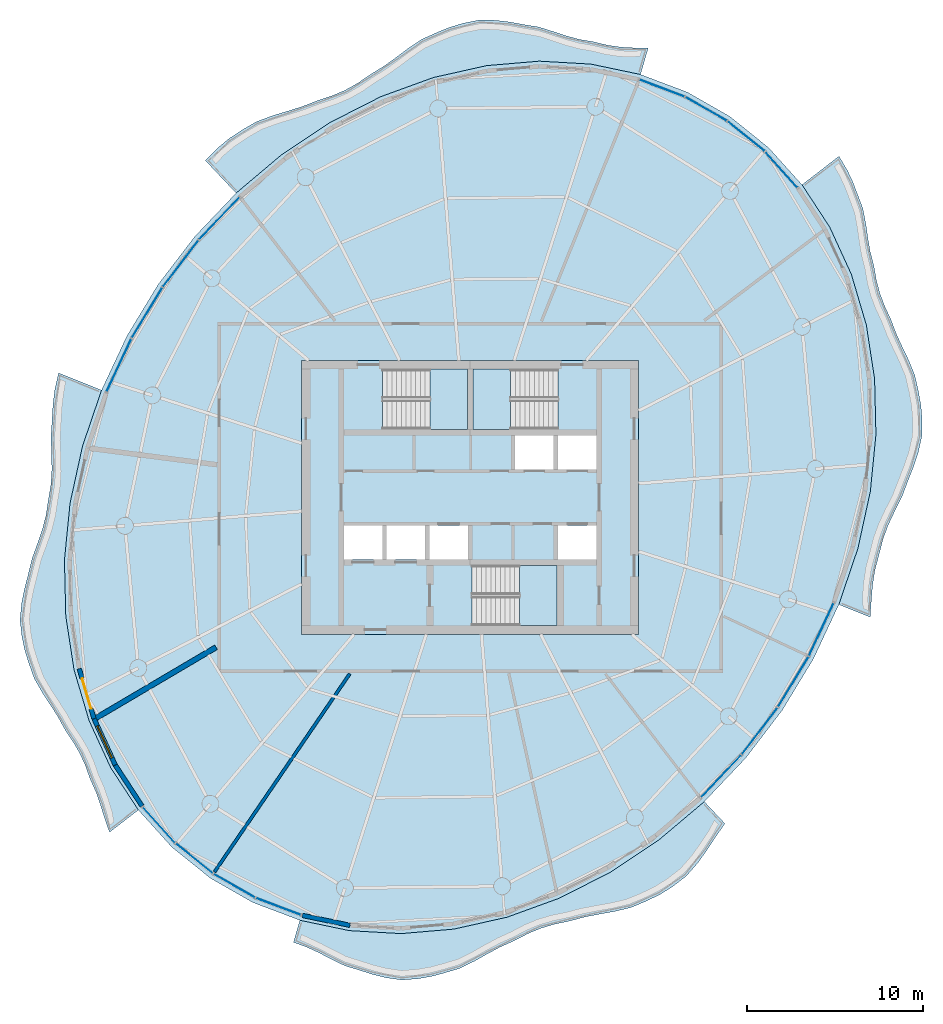
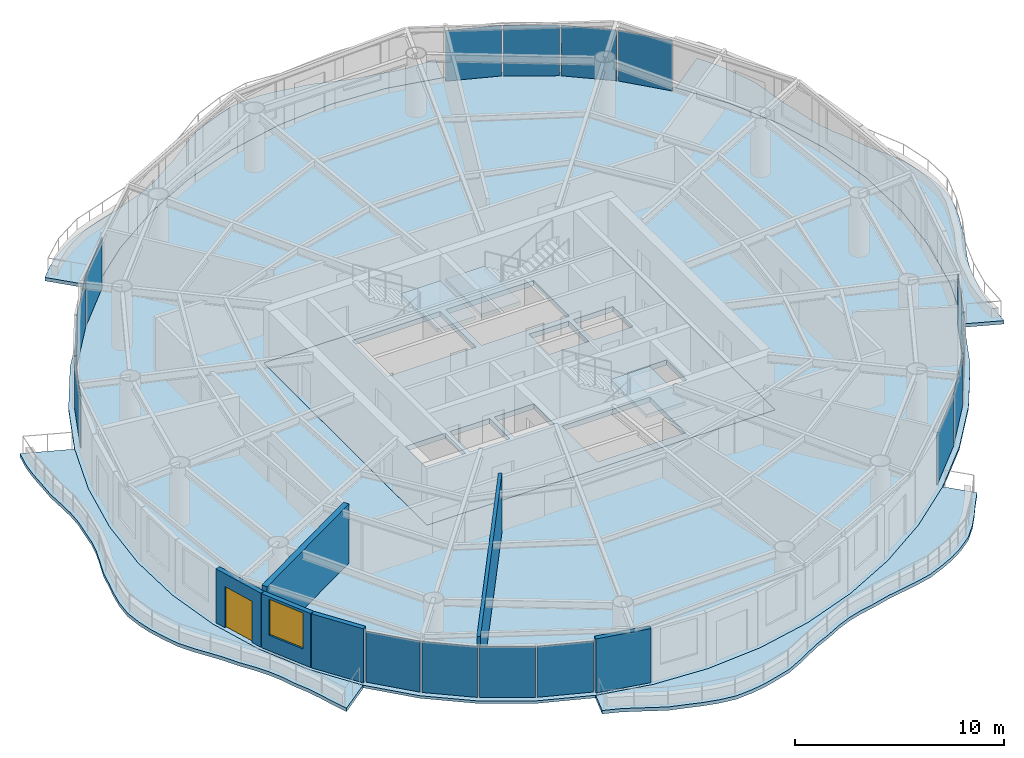
# One storey, part 7 of 14: 16 plates, 9 slabs, 6 walls, 1 door, 1 window, 2 openings, 19 elements without a shape of their own.
"""IFC4 building model written with IfcOpenShell, lengths in metres."""

from ifc_helpers import new_model, si_unit, direction, frame, frame_2d, origin, origin_2d, place, context, subcontext, project, spatial, polyline, rectangle, outline, extrude, material, layer, layer_set, type_object, element, fill, aggregate, save


model = new_model("IFC4")

# Units and contexts
model_context = context("Model", 3, precision=1e-05, world=origin(), true_north=direction((0.0, 1.0)))
body_context = subcontext(model_context, "Body", "Model", "MODEL_VIEW")
ifc_project = project(units=[si_unit("LENGTHUNIT", "METRE"), si_unit("AREAUNIT", "SQUARE_METRE"), si_unit("VOLUMEUNIT", "CUBIC_METRE"), si_unit("PLANEANGLEUNIT", "RADIAN"), si_unit("MASSUNIT", "GRAM", prefix="KILO")], contexts=[model_context])

# Site, building, storey
site_placement = place(None, origin())
site = spatial("IfcSite", under=ifc_project, at=site_placement, CompositionType="ELEMENT")
building_placement = place(site_placement, origin())
building = spatial("IfcBuilding", under=site, at=building_placement, Name="Vermilion Reach Broadcast Tower", CompositionType="ELEMENT")
storey_placement = place(building_placement, frame((0.0, 0.0, 257.699951171875)))
storey = spatial("IfcBuildingStorey", under=building, at=storey_placement, Name="L63", CompositionType="ELEMENT", Elevation=257.699951171875)

# Slabs
ifc_material_1 = material(Name="Concrete C40/50", Category="concrete")
ifc_layer_1 = layer(ifc_material_1, 0.199951171875)
ifc_layer_set_1 = layer_set([ifc_layer_1], Name="Balcony slab 200")
slab_type_1 = type_object("IfcSlabType", Name="Balcony slab 200", PredefinedType="FLOOR", material=ifc_layer_set_1)
placement_1 = place(storey_placement, frame((0.0, 0.0, -0.199951171875)))
element("IfcSlab", 1, at=placement_1, inside=storey, type_object=slab_type_1, Name="Balcony slab L63 group 1", PredefinedType="FLOOR", context=body_context, shape_type="SweptSolid", body=[
    extrude(outline(polyline([(3.70068359375, 24.08740234375), (0.876953125, 24.67822265625), (-2.064208984375, 24.846923828125), (-5.072998046875, 24.59033203125), (-8.097412109375, 23.9130859375), (-11.086181640625, 22.826416015625), (-13.98779296875, 21.349365234375), (-16.752685546875, 19.507080078125), (-19.333740234375, 17.3310546875), (-21.08642578125, 19.1923828125), (-20.390380859375, 19.893798828125), (-19.741943359375, 20.43408203125), (-19.034423828125, 20.904052734375), (-18.173828125, 21.399658203125), (-17.245849609375, 21.7451171875), (-16.4150390625, 21.99658203125), (-15.58935546875, 22.255126953125), (-14.715576171875, 22.593505859375), (-13.85400390625, 22.88134765625), (-13.104248046875, 23.20263671875), (-12.39404296875, 23.6015625), (-11.645263671875, 24.113525390625), (-10.879150390625, 24.583740234375), (-10.20849609375, 25.066162109375), (-9.543701171875, 25.564697265625), (-8.73779296875, 26.102294921875), (-7.879638671875, 26.486083984375), (-7.151611328125, 26.781005859375), (-6.40771484375, 27.005126953125), (-5.47314453125, 27.19091796875), (-4.53564453125, 27.174560546875), (-3.77001953125, 27.0810546875), (-3.00048828125, 26.9423828125), (-2.09130859375, 26.792236328125), (-1.23046875, 26.521728515625), (-0.50634765625, 26.282958984375), (0.22021484375, 26.087646484375), (1.045166015625, 25.9462890625), (1.839111328125, 25.754638671875), (2.553955078125, 25.649658203125), (3.281982421875, 25.607666015625), (4.1396484375, 25.593505859375), (3.70068359375, 24.08740234375)])), origin(), (0.0, 0.0, 1.0), 0.199951171875),
])
element("IfcSlab", 2, at=placement_1, inside=storey, type_object=slab_type_1, Name="Balcony slab L63 group 2", PredefinedType="FLOOR", context=body_context, shape_type="SweptSolid", body=[
    extrude(outline(polyline([(-26.9970703125, 6.105224609375), (-28.083740234375, 2.908935546875), (-28.792236328125, -0.3369140625), (-29.111083984375, -3.577392578125), (-29.034423828125, -6.75634765625), (-28.5634765625, -9.81982421875), (-27.70654296875, -12.71533203125), (-26.478271484375, -15.39306640625), (-24.899658203125, -17.8076171875), (-26.545166015625, -19.0751953125), (-26.843994140625, -18.21728515625), (-27.063232421875, -17.498779296875), (-27.3076171875, -16.797119140625), (-27.646484375, -16.038330078125), (-27.93017578125, -15.248779296875), (-28.236572265625, -14.578857421875), (-28.607177734375, -13.938720703125), (-29.0791015625, -13.230224609375), (-29.50390625, -12.4599609375), (-29.9296875, -11.798583984375), (-30.36376953125, -11.139892578125), (-30.82666015625, -10.326171875), (-31.14404296875, -9.432373046875), (-31.376708984375, -8.684326171875), (-31.535888671875, -7.9248046875), (-31.64208984375, -6.9873046875), (-31.54931640625, -6.021728515625), (-31.38720703125, -5.22265625), (-31.181640625, -4.42236328125), (-30.962158203125, -3.5087890625), (-30.637939453125, -2.609130859375), (-30.366455078125, -1.81787109375), (-30.16064453125, -1.020263671875), (-30.029296875, -0.141845703125), (-29.879638671875, 0.75048828125), (-29.828857421875, 1.589599609375), (-29.844970703125, 2.443359375), (-29.880126953125, 3.408935546875), (-29.817138671875, 4.3896484375), (-29.766357421875, 5.263916015625), (-29.664794921875, 6.120849609375), (-29.44287109375, 7.089599609375), (-26.9970703125, 6.105224609375)])), origin(), (0.0, 0.0, 1.0), 0.199951171875),
])
element("IfcSlab", 3, at=placement_1, inside=storey, type_object=slab_type_1, Name="Balcony slab L63 group 3", PredefinedType="FLOOR", context=body_context, shape_type="SweptSolid", body=[
    extrude(outline(polyline([(-15.70068359375, -24.08740234375), (-12.876953125, -24.67822265625), (-9.935791015625, -24.846923828125), (-6.927001953125, -24.59033203125), (-3.902587890625, -23.9130859375), (-0.913818359375, -22.826416015625), (1.98779296875, -21.349365234375), (4.752685546875, -19.507080078125), (7.333740234375, -17.3310546875), (8.508544921875, -18.57861328125), (7.954345703125, -19.37646484375), (7.470947265625, -20.112548828125), (6.964599609375, -20.8212890625), (6.305419921875, -21.57470703125), (5.529541015625, -22.1708984375), (4.82470703125, -22.611083984375), (4.0712890625, -22.978515625), (3.164306640625, -23.360595703125), (2.213623046875, -23.587890625), (1.376220703125, -23.73681640625), (0.54443359375, -23.89697265625), (-0.34619140625, -24.1337890625), (-1.2177734375, -24.317626953125), (-1.981201171875, -24.544677734375), (-2.7158203125, -24.850341796875), (-3.50830078125, -25.2607421875), (-4.314208984375, -25.620849609375), (-5.022705078125, -26.00244140625), (-5.7275390625, -26.4013671875), (-6.583251953125, -26.82470703125), (-7.4716796875, -27.08837890625), (-8.21240234375, -27.286376953125), (-8.958984375, -27.417236328125), (-9.89892578125, -27.489501953125), (-10.8173828125, -27.35791015625), (-11.544677734375, -27.175048828125), (-12.269287109375, -26.944580078125), (-13.141845703125, -26.677001953125), (-13.949951171875, -26.284423828125), (-14.6142578125, -25.937744140625), (-15.285888671875, -25.625732421875), (-16.06689453125, -25.343994140625), (-15.70068359375, -24.08740234375)])), origin(), (0.0, 0.0, 1.0), 0.199951171875),
])
element("IfcSlab", 4, at=placement_1, inside=storey, type_object=slab_type_1, Name="Balcony slab L63 group 4", PredefinedType="FLOOR", context=body_context, shape_type="SweptSolid", body=[
    extrude(outline(polyline([(14.9970703125, -6.105224609375), (16.083740234375, -2.908935546875), (16.792236328125, 0.3369140625), (17.111083984375, 3.577392578125), (17.034423828125, 6.75634765625), (16.5634765625, 9.81982421875), (15.70654296875, 12.71533203125), (14.478271484375, 15.39306640625), (12.899658203125, 17.8076171875), (15.005126953125, 19.4296875), (15.4814453125, 18.634033203125), (15.79052734375, 17.974609375), (16.0537109375, 17.284912109375), (16.371826171875, 16.43896484375), (16.54443359375, 15.530517578125), (16.6513671875, 14.769287109375), (16.780029296875, 14.01806640625), (16.989501953125, 13.196533203125), (17.141357421875, 12.3525390625), (17.33544921875, 11.622802734375), (17.6015625, 10.914306640625), (17.96142578125, 10.132568359375), (18.2763671875, 9.299072265625), (18.614013671875, 8.567138671875), (18.964599609375, 7.8369140625), (19.323974609375, 6.958984375), (19.533447265625, 6.021484375), (19.67626953125, 5.229736328125), (19.740966796875, 4.43603515625), (19.726318359375, 3.48046875), (19.511474609375, 2.523193359375), (19.24462890625, 1.731689453125), (18.93408203125, 0.9443359375), (18.597900390625, 0.052001953125), (18.167236328125, -0.8134765625), (17.805419921875, -1.58447265625), (17.51318359375, -2.37109375), (17.291015625, -3.244873046875), (17.054931640625, -4.130615234375), (16.922607421875, -4.97705078125), (16.8525390625, -5.8447265625), (16.783447265625, -6.82421875), (14.9970703125, -6.105224609375)])), origin(), (0.0, 0.0, 1.0), 0.199951171875),
])
ifc_material_2 = material(Name="Concrete C40", Category="concrete")
ifc_layer_2 = layer(ifc_material_2, 0.300048828125)
ifc_layer_set_2 = layer_set([ifc_layer_2], Name="Core floor slab 300 mm Concrete C40")
slab_type_2 = type_object("IfcSlabType", Name="Core floor slab 300 mm Concrete C40", PredefinedType="FLOOR", material=ifc_layer_set_2)
slab_5_placement = place(storey_placement, frame((0.0, 0.0, -0.300048828125)))
element("IfcSlab", 5, at=slab_5_placement, inside=storey, type_object=slab_type_2, Name="L63 core floor", PredefinedType="FLOOR", context=body_context, shape_type="SweptSolid", body=[
    extrude(outline(polyline([(-15.60009765625, -7.800048828125), (3.60009765625, -7.800048828125), (3.60009765625, 7.800048828125), (-15.60009765625, 7.800048828125), (-15.60009765625, -7.800048828125)]), holes=[polyline([(-3.433349609375, 1.60009765625), (-1.24169921875, 1.60009765625), (-1.24169921875, 3.530029296875), (-3.433349609375, 3.530029296875), (-3.433349609375, 1.60009765625)]), polyline([(-0.99169921875, 1.60009765625), (1.199951171875, 1.60009765625), (1.199951171875, 3.530029296875), (-0.99169921875, 3.530029296875), (-0.99169921875, 1.60009765625)]), polyline([(-13.199951171875, -3.530029296875), (-11.00830078125, -3.530029296875), (-11.00830078125, -1.60009765625), (-13.199951171875, -1.60009765625), (-13.199951171875, -3.530029296875)]), polyline([(-10.75830078125, -3.530029296875), (-8.566650390625, -3.530029296875), (-8.566650390625, -1.60009765625), (-10.75830078125, -1.60009765625), (-10.75830078125, -3.530029296875)]), polyline([(-8.316650390625, -3.530029296875), (-6.125, -3.530029296875), (-6.125, -1.60009765625), (-8.316650390625, -1.60009765625), (-8.316650390625, -3.530029296875)]), polyline([(-0.99169921875, -3.530029296875), (1.199951171875, -3.530029296875), (1.199951171875, -1.60009765625), (-0.99169921875, -1.60009765625), (-0.99169921875, -3.530029296875)]), polyline([(-10.999267578125, 3.8798828125), (-6.14990234375, 3.8798828125), (-6.14990234375, 7.300048828125), (-10.999267578125, 7.300048828125), (-10.999267578125, 3.8798828125)]), polyline([(-1.000732421875, 7.300048828125), (-5.85009765625, 7.300048828125), (-5.85009765625, 3.8798828125), (-1.000732421875, 3.8798828125), (-1.000732421875, 7.300048828125)]), polyline([(-5.8994140625, -7.300048828125), (-1.050048828125, -7.300048828125), (-1.050048828125, -3.8798828125), (-5.8994140625, -3.8798828125), (-5.8994140625, -7.300048828125)])]), origin(), (0.0, 0.0, 1.0), 0.300048828125),
])

# Stair, slab
ifc_material_3 = material(Name="Concrete C40", Category="concrete")
stair_type = type_object("IfcStairType", Name="Exit stair RC 22 risers 164 mm", PredefinedType="HALF_TURN_STAIR", material=ifc_material_3)
placement_2 = place(storey_placement, origin())
stair_1 = element("IfcStair", 6, at=placement_2, inside=storey, type_object=stair_type, Name="L63 Exit stair ST1", PredefinedType="HALF_TURN_STAIR")
ifc_material_4 = material(Name="Concrete C40", Category="concrete")
ifc_layer_3 = layer(ifc_material_4, 0.199951171875)
ifc_layer_set_3 = layer_set([ifc_layer_3], Name="Exit stair landing Concrete C40")
slab_type_3 = type_object("IfcSlabType", Name="Exit stair landing Concrete C40", PredefinedType="LANDING", material=ifc_layer_set_3)
placement_3 = place(storey_placement, frame((0.0, 0.0, 1.60009765625)))
slab_6 = element("IfcSlab", 7, at=placement_3, type_object=slab_type_3, Name="ST1 landing 1", PredefinedType="LANDING", context=body_context, shape_type="SweptSolid", body=[
    extrude(outline(polyline([(-8.300048828125, 3.8798828125), (-6.14990234375, 3.8798828125), (-6.14990234375, 7.300048828125), (-8.300048828125, 7.300048828125), (-8.300048828125, 3.8798828125)])), origin(), (0.0, 0.0, 1.0), 0.199951171875),
])
aggregate(stair_1, [slab_6])

stair_2 = element("IfcStair", 8, at=placement_2, inside=storey, type_object=stair_type, Name="L63 Exit stair ST2", PredefinedType="HALF_TURN_STAIR")
slab_7 = element("IfcSlab", 9, at=placement_3, type_object=slab_type_3, Name="ST2 landing 1", PredefinedType="LANDING", context=body_context, shape_type="SweptSolid", body=[
    extrude(outline(polyline([(-3.699951171875, 7.300048828125), (-5.85009765625, 7.300048828125), (-5.85009765625, 3.8798828125), (-3.699951171875, 3.8798828125), (-3.699951171875, 7.300048828125)])), origin(), (0.0, 0.0, 1.0), 0.199951171875),
])
aggregate(stair_2, [slab_7])

stair_3 = element("IfcStair", 10, at=placement_2, inside=storey, type_object=stair_type, Name="L63 Exit stair ST3", PredefinedType="HALF_TURN_STAIR")
slab_8 = element("IfcSlab", 11, at=placement_3, type_object=slab_type_3, Name="ST3 landing 1", PredefinedType="LANDING", context=body_context, shape_type="SweptSolid", body=[
    extrude(outline(polyline([(-3.199951171875, -7.300048828125), (-1.050048828125, -7.300048828125), (-1.050048828125, -3.8798828125), (-3.199951171875, -3.8798828125), (-3.199951171875, -7.300048828125)])), origin(), (0.0, 0.0, 1.0), 0.199951171875),
])
aggregate(stair_3, [slab_8])

# Slab
ifc_material_5 = material(Name="Concrete C40", Category="concrete")
ifc_layer_4 = layer(ifc_material_5, 0.14990234375)
ifc_layer_set_4 = layer_set([ifc_layer_4], Name="Floor slab Concrete C40 composite 150")
slab_type_4 = type_object("IfcSlabType", Name="Floor slab Concrete C40 composite 150", PredefinedType="FLOOR", material=ifc_layer_set_4)
slab_9_placement = place(storey_placement, frame((0.0, 0.0, -0.14990234375)))
element("IfcSlab", 12, at=slab_9_placement, inside=storey, type_object=slab_type_4, Name="Floor slab L63", PredefinedType="FLOOR", context=body_context, shape_type="SweptSolid", body=[
    extrude(outline(polyline([(8.8046875, 21.6865234375), (6.3583984375, 23.08447265625), (3.70068359375, 24.08740234375), (0.876953125, 24.67822265625), (-2.064208984375, 24.846923828125), (-5.072998046875, 24.59033203125), (-8.097412109375, 23.9130859375), (-11.086181640625, 22.826416015625), (-13.98779296875, 21.349365234375), (-16.752685546875, 19.507080078125), (-19.333740234375, 17.3310546875), (-21.6865234375, 14.8583984375), (-23.770751953125, 12.131591796875), (-25.55126953125, 9.197021484375), (-26.9970703125, 6.105224609375), (-28.083740234375, 2.908935546875), (-28.792236328125, -0.3369140625), (-29.111083984375, -3.577392578125), (-29.034423828125, -6.75634765625), (-28.5634765625, -9.81982421875), (-27.70654296875, -12.71533203125), (-26.478271484375, -15.39306640625), (-24.899658203125, -17.8076171875), (-22.99755859375, -19.91748046875), (-20.8046875, -21.6865234375), (-18.3583984375, -23.08447265625), (-15.70068359375, -24.08740234375), (-12.876953125, -24.67822265625), (-9.935791015625, -24.846923828125), (-6.927001953125, -24.59033203125), (-3.902587890625, -23.9130859375), (-0.913818359375, -22.826416015625), (1.98779296875, -21.349365234375), (4.752685546875, -19.507080078125), (7.333740234375, -17.3310546875), (9.6865234375, -14.8583984375), (11.770751953125, -12.131591796875), (13.55126953125, -9.197021484375), (14.9970703125, -6.105224609375), (16.083740234375, -2.908935546875), (16.792236328125, 0.3369140625), (17.111083984375, 3.577392578125), (17.034423828125, 6.75634765625), (16.5634765625, 9.81982421875), (15.70654296875, 12.71533203125), (14.478271484375, 15.39306640625), (12.899658203125, 17.8076171875), (10.99755859375, 19.91748046875), (8.8046875, 21.6865234375)]), holes=[polyline([(-15.60009765625, -7.800048828125), (3.60009765625, -7.800048828125), (3.60009765625, 7.800048828125), (-15.60009765625, 7.800048828125), (-15.60009765625, -7.800048828125)])]), origin(), (0.0, 0.0, 1.0), 0.14990234375),
])

# Curtain wall, plate
ifc_material_6 = material(Name="Low-e laminated clear glass in aluminium frame", Category="aluminium")
curtain_wall_type = type_object("IfcCurtainWallType", Name="Slot curtain wall", PredefinedType="NOTDEFINED", material=ifc_material_6)
curtain_wall_1 = element("IfcCurtainWall", 13, at=placement_2, inside=storey, type_object=curtain_wall_type, Name="Slot curtain wall L63 46", PredefinedType="NOTDEFINED")
ifc_material_7 = material(Name="Low-e laminated clear glass", Category="glass")
ifc_layer_5 = layer(ifc_material_7, 0.028076171875)
ifc_layer_set_5 = layer_set([ifc_layer_5], Name="Slot glass panel")
plate_type = type_object("IfcPlateType", Name="Slot glass panel", PredefinedType="CURTAIN_PANEL", material=ifc_layer_set_5)
plate_1_placement = place(storey_placement, frame((11.7265625, 18.662109375, 0.0), z_axis=(0.0, 0.0, 1.0), x_axis=(-0.669590181039, 0.74273076512, 0.0)))
plate_1 = element("IfcPlate", 14, at=plate_1_placement, type_object=plate_type, Name="Slot glass panel L63 46", PredefinedType="CURTAIN_PANEL", context=body_context, shape_type="SweptSolid", body=[
    extrude(rectangle(XDim=2.713623046875, YDim=0.028076171875, at=origin_2d()), origin(), (0.0, 0.0, 1.0), 2.949951171875),
])
aggregate(curtain_wall_1, [plate_1])

curtain_wall_2 = element("IfcCurtainWall", 15, at=placement_2, inside=storey, type_object=curtain_wall_type, Name="Slot curtain wall L63 47", PredefinedType="NOTDEFINED")
plate_2_placement = place(storey_placement, frame((9.71337890625, 20.569091796875, 0.0), z_axis=(0.0, 0.0, 1.0), x_axis=(-0.778317169634, 0.62787131122, 0.0)))
plate_2 = element("IfcPlate", 16, at=plate_2_placement, type_object=plate_type, Name="Slot glass panel L63 47", PredefinedType="CURTAIN_PANEL", context=body_context, shape_type="SweptSolid", body=[
    extrude(rectangle(XDim=2.689697265625, YDim=0.028076171875, at=origin_2d()), origin(), (0.0, 0.0, 1.0), 2.949951171875),
])
aggregate(curtain_wall_2, [plate_2])

curtain_wall_3 = element("IfcCurtainWall", 17, at=placement_2, inside=storey, type_object=curtain_wall_type, Name="Slot curtain wall L63 00", PredefinedType="NOTDEFINED")
plate_3_placement = place(storey_placement, frame((7.43310546875, 22.125732421875, 0.0), z_axis=(0.0, 0.0, 1.0), x_axis=(-0.868226833631, 0.496167477132, 0.0)))
plate_3 = element("IfcPlate", 18, at=plate_3_placement, type_object=plate_type, Name="Slot glass panel L63 00", PredefinedType="CURTAIN_PANEL", context=body_context, shape_type="SweptSolid", body=[
    extrude(rectangle(XDim=2.689697265625, YDim=0.028076171875, at=origin_2d()), origin(), (0.0, 0.0, 1.0), 2.949951171875),
])
aggregate(curtain_wall_3, [plate_3])

curtain_wall_4 = element("IfcCurtainWall", 19, at=placement_2, inside=storey, type_object=curtain_wall_type, Name="Slot curtain wall L63 01", PredefinedType="NOTDEFINED")
plate_4_placement = place(storey_placement, frame((4.923828125, 23.30615234375, 0.0), z_axis=(0.0, 0.0, 1.0), x_axis=(-0.935595552507, 0.353073593078, 0.0)))
plate_4 = element("IfcPlate", 20, at=plate_4_placement, type_object=plate_type, Name="Slot glass panel L63 01", PredefinedType="CURTAIN_PANEL", context=body_context, shape_type="SweptSolid", body=[
    extrude(rectangle(XDim=2.713623046875, YDim=0.028076171875, at=origin_2d()), origin(), (0.0, 0.0, 1.0), 2.949951171875),
])
aggregate(curtain_wall_4, [plate_4])

curtain_wall_5 = element("IfcCurtainWall", 21, at=placement_2, inside=storey, type_object=curtain_wall_type, Name="Slot curtain wall L63 10", PredefinedType="NOTDEFINED")
plate_5_placement = place(storey_placement, frame((-20.29296875, 15.88818359375, 0.0), z_axis=(0.0, 0.0, 1.0), x_axis=(-0.689335518303, -0.724442229033, 0.0)))
plate_5 = element("IfcPlate", 22, at=plate_5_placement, type_object=plate_type, Name="Slot glass panel L63 10", PredefinedType="CURTAIN_PANEL", context=body_context, shape_type="SweptSolid", body=[
    extrude(rectangle(XDim=3.300537109375, YDim=0.028076171875, at=origin_2d()), origin(), (0.0, 0.0, 1.0), 2.949951171875),
])
aggregate(curtain_wall_5, [plate_5])

curtain_wall_6 = element("IfcCurtainWall", 23, at=placement_2, inside=storey, type_object=curtain_wall_type, Name="Slot curtain wall L63 11", PredefinedType="NOTDEFINED")
plate_6_placement = place(storey_placement, frame((-22.49072265625, 13.31298828125, 0.0), z_axis=(0.0, 0.0, 1.0), x_axis=(-0.607297031586, -0.794474867713, 0.0)))
plate_6 = element("IfcPlate", 24, at=plate_6_placement, type_object=plate_type, Name="Slot glass panel L63 11", PredefinedType="CURTAIN_PANEL", context=body_context, shape_type="SweptSolid", body=[
    extrude(rectangle(XDim=3.320068359375, YDim=0.028076171875, at=origin_2d()), origin(), (0.0, 0.0, 1.0), 2.949951171875),
])
aggregate(curtain_wall_6, [plate_6])

curtain_wall_7 = element("IfcCurtainWall", 25, at=placement_2, inside=storey, type_object=curtain_wall_type, Name="Slot curtain wall L63 12", PredefinedType="NOTDEFINED")
plate_7_placement = place(storey_placement, frame((-24.405029296875, 10.509033203125, 0.0), z_axis=(0.0, 0.0, 1.0), x_axis=(-0.518708735939, -0.854951020387, 0.0)))
plate_7 = element("IfcPlate", 26, at=plate_7_placement, type_object=plate_type, Name="Slot glass panel L63 12", PredefinedType="CURTAIN_PANEL", context=body_context, shape_type="SweptSolid", body=[
    extrude(rectangle(XDim=3.320068359375, YDim=0.028076171875, at=origin_2d()), origin(), (0.0, 0.0, 1.0), 2.949951171875),
])
aggregate(curtain_wall_7, [plate_7])

curtain_wall_8 = element("IfcCurtainWall", 27, at=placement_2, inside=storey, type_object=curtain_wall_type, Name="Slot curtain wall L63 13", PredefinedType="NOTDEFINED")
plate_8_placement = place(storey_placement, frame((-26.002685546875, 7.5244140625, 0.0), z_axis=(0.0, 0.0, 1.0), x_axis=(-0.423606086532, -0.905846501044, 0.0)))
plate_8 = element("IfcPlate", 28, at=plate_8_placement, type_object=plate_type, Name="Slot glass panel L63 13", PredefinedType="CURTAIN_PANEL", context=body_context, shape_type="SweptSolid", body=[
    extrude(rectangle(XDim=3.300537109375, YDim=0.028076171875, at=origin_2d()), origin(), (0.0, 0.0, 1.0), 2.949951171875),
])
aggregate(curtain_wall_8, [plate_8])

curtain_wall_9 = element("IfcCurtainWall", 29, at=placement_2, inside=storey, type_object=curtain_wall_type, Name="Slot curtain wall L63 22", PredefinedType="NOTDEFINED")
plate_9_placement = place(storey_placement, frame((-23.7265625, -18.662109375, 0.0), z_axis=(0.0, 0.0, 1.0), x_axis=(0.669590181039, -0.74273076512, 0.0)))
plate_9 = element("IfcPlate", 30, at=plate_9_placement, type_object=plate_type, Name="Slot glass panel L63 22", PredefinedType="CURTAIN_PANEL", context=body_context, shape_type="SweptSolid", body=[
    extrude(rectangle(XDim=2.713623046875, YDim=0.028076171875, at=origin_2d()), origin(), (0.0, 0.0, 1.0), 2.949951171875),
])
aggregate(curtain_wall_9, [plate_9])

curtain_wall_10 = element("IfcCurtainWall", 31, at=placement_2, inside=storey, type_object=curtain_wall_type, Name="Slot curtain wall L63 23", PredefinedType="NOTDEFINED")
plate_10_placement = place(storey_placement, frame((-21.71337890625, -20.569091796875, 0.0), z_axis=(0.0, 0.0, 1.0), x_axis=(0.778317169634, -0.62787131122, 0.0)))
plate_10 = element("IfcPlate", 32, at=plate_10_placement, type_object=plate_type, Name="Slot glass panel L63 23", PredefinedType="CURTAIN_PANEL", context=body_context, shape_type="SweptSolid", body=[
    extrude(rectangle(XDim=2.689697265625, YDim=0.028076171875, at=origin_2d()), origin(), (0.0, 0.0, 1.0), 2.949951171875),
])
aggregate(curtain_wall_10, [plate_10])

curtain_wall_11 = element("IfcCurtainWall", 33, at=placement_2, inside=storey, type_object=curtain_wall_type, Name="Slot curtain wall L63 24", PredefinedType="NOTDEFINED")
plate_11_placement = place(storey_placement, frame((-19.43310546875, -22.125732421875, 0.0), z_axis=(0.0, 0.0, 1.0), x_axis=(0.868226833631, -0.496167477132, 0.0)))
plate_11 = element("IfcPlate", 34, at=plate_11_placement, type_object=plate_type, Name="Slot glass panel L63 24", PredefinedType="CURTAIN_PANEL", context=body_context, shape_type="SweptSolid", body=[
    extrude(rectangle(XDim=2.689697265625, YDim=0.028076171875, at=origin_2d()), origin(), (0.0, 0.0, 1.0), 2.949951171875),
])
aggregate(curtain_wall_11, [plate_11])

curtain_wall_12 = element("IfcCurtainWall", 35, at=placement_2, inside=storey, type_object=curtain_wall_type, Name="Slot curtain wall L63 25", PredefinedType="NOTDEFINED")
plate_12_placement = place(storey_placement, frame((-16.923828125, -23.30615234375, 0.0), z_axis=(0.0, 0.0, 1.0), x_axis=(0.935595552507, -0.353073593078, 0.0)))
plate_12 = element("IfcPlate", 36, at=plate_12_placement, type_object=plate_type, Name="Slot glass panel L63 25", PredefinedType="CURTAIN_PANEL", context=body_context, shape_type="SweptSolid", body=[
    extrude(rectangle(XDim=2.713623046875, YDim=0.028076171875, at=origin_2d()), origin(), (0.0, 0.0, 1.0), 2.949951171875),
])
aggregate(curtain_wall_12, [plate_12])

curtain_wall_13 = element("IfcCurtainWall", 37, at=placement_2, inside=storey, type_object=curtain_wall_type, Name="Slot curtain wall L63 34", PredefinedType="NOTDEFINED")
plate_13_placement = place(storey_placement, frame((8.29296875, -15.88818359375, 0.0), z_axis=(0.0, 0.0, 1.0), x_axis=(0.689335518303, 0.724442229033, 0.0)))
plate_13 = element("IfcPlate", 38, at=plate_13_placement, type_object=plate_type, Name="Slot glass panel L63 34", PredefinedType="CURTAIN_PANEL", context=body_context, shape_type="SweptSolid", body=[
    extrude(rectangle(XDim=3.300537109375, YDim=0.028076171875, at=origin_2d()), origin(), (0.0, 0.0, 1.0), 2.949951171875),
])
aggregate(curtain_wall_13, [plate_13])

curtain_wall_14 = element("IfcCurtainWall", 39, at=placement_2, inside=storey, type_object=curtain_wall_type, Name="Slot curtain wall L63 35", PredefinedType="NOTDEFINED")
plate_14_placement = place(storey_placement, frame((10.49072265625, -13.31298828125, 0.0), z_axis=(0.0, 0.0, 1.0), x_axis=(0.607297031586, 0.794474867713, 0.0)))
plate_14 = element("IfcPlate", 40, at=plate_14_placement, type_object=plate_type, Name="Slot glass panel L63 35", PredefinedType="CURTAIN_PANEL", context=body_context, shape_type="SweptSolid", body=[
    extrude(rectangle(XDim=3.320068359375, YDim=0.028076171875, at=origin_2d()), origin(), (0.0, 0.0, 1.0), 2.949951171875),
])
aggregate(curtain_wall_14, [plate_14])

curtain_wall_15 = element("IfcCurtainWall", 41, at=placement_2, inside=storey, type_object=curtain_wall_type, Name="Slot curtain wall L63 36", PredefinedType="NOTDEFINED")
plate_15_placement = place(storey_placement, frame((12.405029296875, -10.509033203125, 0.0), z_axis=(0.0, 0.0, 1.0), x_axis=(0.518708735939, 0.854951020387, 0.0)))
plate_15 = element("IfcPlate", 42, at=plate_15_placement, type_object=plate_type, Name="Slot glass panel L63 36", PredefinedType="CURTAIN_PANEL", context=body_context, shape_type="SweptSolid", body=[
    extrude(rectangle(XDim=3.320068359375, YDim=0.028076171875, at=origin_2d()), origin(), (0.0, 0.0, 1.0), 2.949951171875),
])
aggregate(curtain_wall_15, [plate_15])

curtain_wall_16 = element("IfcCurtainWall", 43, at=placement_2, inside=storey, type_object=curtain_wall_type, Name="Slot curtain wall L63 37", PredefinedType="NOTDEFINED")
plate_16_placement = place(storey_placement, frame((14.002685546875, -7.5244140625, 0.0), z_axis=(0.0, 0.0, 1.0), x_axis=(0.423606086532, 0.905846501044, 0.0)))
plate_16 = element("IfcPlate", 44, at=plate_16_placement, type_object=plate_type, Name="Slot glass panel L63 37", PredefinedType="CURTAIN_PANEL", context=body_context, shape_type="SweptSolid", body=[
    extrude(rectangle(XDim=3.300537109375, YDim=0.028076171875, at=origin_2d()), origin(), (0.0, 0.0, 1.0), 2.949951171875),
])
aggregate(curtain_wall_16, [plate_16])

# Walls
ifc_material_8 = material(Name="Fire-rated block, plastered")
ifc_layer_6 = layer(ifc_material_8, 0.175048828125)
ifc_layer_set_6 = layer_set([ifc_layer_6], Name="Partition 175 fire-rated block")
wall_type_1 = type_object("IfcWallType", Name="Partition 175 fire-rated block", PredefinedType="PARTITIONING", material=ifc_layer_set_6)
wall_1_placement = place(storey_placement, frame((-20.56494140625, -21.33544921875, 0.0), z_axis=(0.0, 0.0, 1.0), x_axis=(0.563811273549, 0.825903655289, 0.0)))
element("IfcWall", 45, at=wall_1_placement, inside=storey, type_object=wall_type_1, Name="Partition 63.05", PredefinedType="PARTITIONING", context=body_context, shape_type="SweptSolid", body=[
    extrude(rectangle(XDim=13.665283203125, YDim=0.175048828125, at=frame_2d((6.83251953125, 0.0))), origin(), (0.0, 0.0, 1.0), 3.449951171875),
])
ifc_material_9 = material(Name="Double-leaf plasterboard on isolated steel stud", Category="steel")
ifc_layer_7 = layer(ifc_material_9, 0.300048828125)
ifc_layer_set_7 = layer_set([ifc_layer_7], Name="Partition 300 acoustic double leaf")
wall_type_2 = type_object("IfcWallType", Name="Partition 300 acoustic double leaf", PredefinedType="PARTITIONING", material=ifc_layer_set_7)
wall_2_placement = place(storey_placement, frame((-27.30859375, -12.56640625, 0.0), z_axis=(0.0, 0.0, 1.0), x_axis=(0.861365558052, 0.507985605506, 0.0)))
element("IfcWall", 46, at=wall_2_placement, inside=storey, type_object=wall_type_2, Name="Partition 63.04", PredefinedType="PARTITIONING", context=body_context, shape_type="SweptSolid", body=[
    extrude(rectangle(XDim=7.931884765625, YDim=0.300048828125, at=frame_2d((3.9658203125, 0.0))), origin(), (0.0, 0.0, 1.0), 3.449951171875),
])

# Wall, opening, door
ifc_material_10 = material(Name="Terracotta rainscreen cladding", Category="masonry")
ifc_layer_8 = layer(ifc_material_10, 0.25)
ifc_layer_set_8 = layer_set([ifc_layer_8], Name="Terracotta rainscreen wall 250")
wall_type_3 = type_object("IfcWallType", Name="Terracotta rainscreen wall 250", PredefinedType="SOLIDWALL", material=ifc_layer_set_8)
wall_3_placement = place(storey_placement, frame((-28.26708984375, -9.7666015625, 0.0), z_axis=(0.0, 0.0, 1.0), x_axis=(0.283795508972, -0.958884825768, 0.0)))
wall_3 = element("IfcWall", 47, at=wall_3_placement, inside=storey, type_object=wall_type_3, Name="External wall L63 19", PredefinedType="SOLIDWALL", context=body_context, shape_type="SweptSolid", body=[
    extrude(rectangle(XDim=2.952392578125, YDim=0.25, at=frame_2d((1.47607421875, 0.0))), origin(), (0.0, 0.0, 1.0), 3.150146484375),
])
opening_1_placement = place(wall_3_placement, frame((0.575927734375, 0.0, 0.0)))
opening_1 = element("IfcOpeningElement", 48, at=opening_1_placement, cuts=wall_3, Name="Opening D70", PredefinedType="OPENING", context=body_context, shape_type="SweptSolid", body=[
    extrude(rectangle(XDim=1.800048828125, YDim=2.39990234375, at=frame_2d((0.89990234375, 1.199951171875))), frame((0.0, 0.135009765625, 0.0), z_axis=(0.0, -1.0, 0.0), x_axis=(1.0, 0.0, 0.0)), (0.0, 0.0, 1.0), 0.27001953125),
])
ifc_material_11 = material(Name="Low-e laminated clear glass in aluminium frame", Category="aluminium")
door_type = type_object("IfcDoorType", Name="Balcony sliding door 1800 x 2400", OperationType="DOUBLE_DOOR_SLIDING", PredefinedType="DOOR", material=ifc_material_11)
door_placement = place(opening_1_placement, origin())
door = element("IfcDoor", 49, at=door_placement, inside=storey, type_object=door_type, Name="Balcony door L63 run 05", OperationType="DOUBLE_DOOR_SLIDING", OverallHeight=2.39990234375, OverallWidth=1.800048828125, PredefinedType="DOOR", context=body_context, shape_type="SweptSolid", body=[
    extrude(rectangle(XDim=1.800048828125, YDim=2.39990234375, at=frame_2d((0.89990234375, 1.199951171875))), frame((0.0, 0.02490234375, 0.0), z_axis=(0.0, -1.0, 0.0), x_axis=(1.0, 0.0, 0.0)), (0.0, 0.0, 1.0), 0.050048828125),
])
fill(opening_1, door)

# Wall, opening, window
wall_4_placement = place(storey_placement, frame((-27.420166015625, -12.621826171875, 0.0), z_axis=(0.0, 0.0, 1.0), x_axis=(0.416844676261, -0.908977731231, 0.0)))
wall_4 = element("IfcWall", 50, at=wall_4_placement, inside=storey, type_object=wall_type_3, Name="External wall L63 20", PredefinedType="SOLIDWALL", context=body_context, shape_type="SweptSolid", body=[
    extrude(rectangle(XDim=2.876220703125, YDim=0.25, at=frame_2d((1.43798828125, 0.0))), origin(), (0.0, 0.0, 1.0), 3.150146484375),
])
opening_2_placement = place(wall_4_placement, frame((0.438232421875, 0.0, 0.89990234375)))
opening_2 = element("IfcOpeningElement", 51, at=opening_2_placement, cuts=wall_4, Name="Opening W03", PredefinedType="OPENING", context=body_context, shape_type="SweptSolid", body=[
    extrude(rectangle(XDim=2.0, YDim=2.10009765625, at=frame_2d((1.0, 1.050048828125))), frame((0.0, 0.135009765625, 0.0), z_axis=(0.0, -1.0, 0.0), x_axis=(1.0, 0.0, 0.0)), (0.0, 0.0, 1.0), 0.27001953125),
])
ifc_material_12 = material(Name="Low-e laminated clear glass in aluminium frame", Category="aluminium")
window_type = type_object("IfcWindowType", Name="Punched window 2000 x 2100 sill 900", PartitioningType="SINGLE_PANEL", PredefinedType="WINDOW", material=ifc_material_12)
window_placement = place(opening_2_placement, origin())
window = element("IfcWindow", 52, at=window_placement, inside=storey, type_object=window_type, Name="Window L63 20", OverallHeight=2.10009765625, OverallWidth=2.0, PartitioningType="SINGLE_PANEL", PredefinedType="WINDOW", context=body_context, shape_type="SweptSolid", body=[
    extrude(rectangle(XDim=2.0, YDim=2.10009765625, at=frame_2d((1.0, 1.050048828125))), frame((0.0, 0.030029296875, 0.0), z_axis=(0.0, -1.0, 0.0), x_axis=(1.0, 0.0, 0.0)), (0.0, 0.0, 1.0), 0.06005859375),
])
fill(opening_2, window)

# Walls
wall_5_placement = place(storey_placement, frame((-26.208251953125, -15.259521484375, 0.0), z_axis=(0.0, 0.0, 1.0), x_axis=(0.547256484876, -0.836964957308, 0.0)))
element("IfcWall", 53, at=wall_5_placement, inside=storey, type_object=wall_type_3, Name="External wall L63 21", PredefinedType="SOLIDWALL", context=body_context, shape_type="SweptSolid", body=[
    extrude(rectangle(XDim=2.770751953125, YDim=0.25, at=frame_2d((1.38525390625, 0.0))), origin(), (0.0, 0.0, 1.0), 3.150146484375),
])
wall_6_placement = place(storey_placement, frame((-15.563232421875, -23.810546875, 0.0), z_axis=(0.0, 0.0, 1.0), x_axis=(0.978796787282, -0.20483371111, 0.0)))
element("IfcWall", 54, at=wall_6_placement, inside=storey, type_object=wall_type_3, Name="External wall L63 26", PredefinedType="SOLIDWALL", context=body_context, shape_type="SweptSolid", body=[
    extrude(rectangle(XDim=2.771240234375, YDim=0.25, at=frame_2d((1.3857421875, 0.0))), origin(), (0.0, 0.0, 1.0), 3.150146484375),
])

save(model, "model.ifc")
